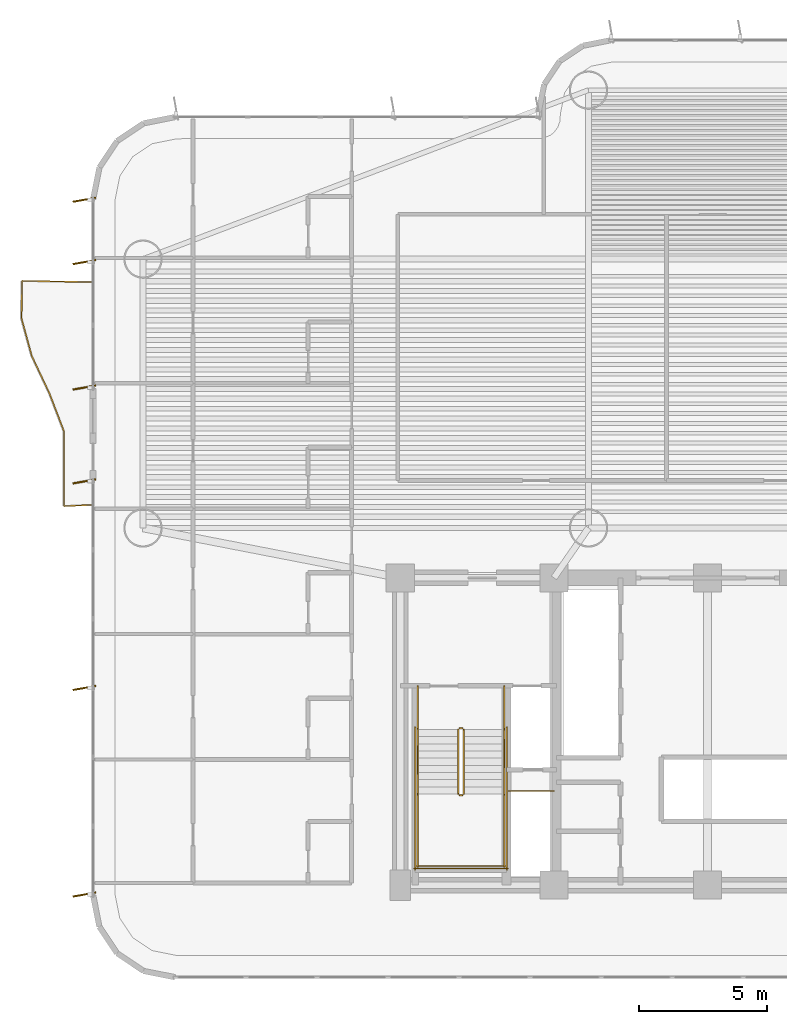
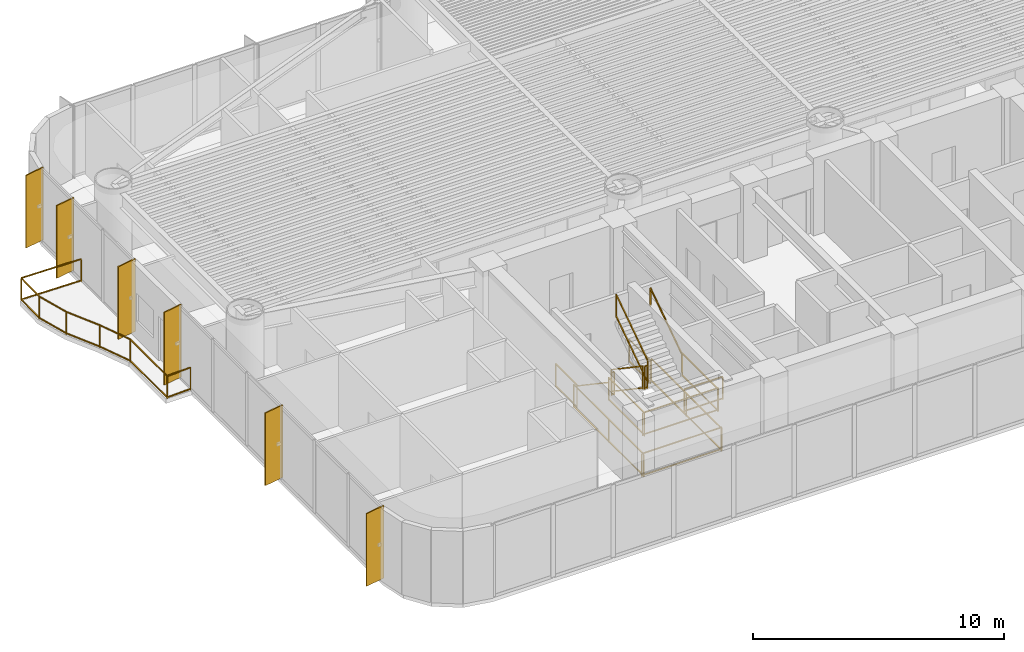
# One storey, part 16 of 19: 16 railings, 6 shading devices.
"""IFC4 building model written with IfcOpenShell, lengths in metres."""

from ifc_helpers import new_model, si_unit, direction, frame, origin, origin_2d, place, context, subcontext, project, spatial, rectangle, extrude, source, transform, mapped, material, layer, layer_set, material_profile, profile_set, type_object, element, save


model = new_model("IFC4")

# Units and contexts
model_context = context("Model", 3, precision=1e-05, world=origin(), true_north=direction((0.0, 1.0)))
body_context = subcontext(model_context, "Body", "Model", "MODEL_VIEW")
ifc_project = project(units=[si_unit("LENGTHUNIT", "METRE"), si_unit("AREAUNIT", "SQUARE_METRE"), si_unit("VOLUMEUNIT", "CUBIC_METRE"), si_unit("PLANEANGLEUNIT", "RADIAN"), si_unit("MASSUNIT", "GRAM", prefix="KILO")], contexts=[model_context])

# Site, building, storey
site_placement = place(None, origin())
site = spatial("IfcSite", under=ifc_project, at=site_placement, CompositionType="ELEMENT")
building_placement = place(site_placement, origin())
building = spatial("IfcBuilding", under=site, at=building_placement, Name="Brelvock Crest Care Tower", CompositionType="ELEMENT")
storey_placement = place(building_placement, frame((0.0, 0.0, 64.800048828125)))
storey = spatial("IfcBuildingStorey", under=building, at=storey_placement, Name="L16", CompositionType="ELEMENT", Elevation=64.800048828125)

# Railings
ifc_material_1 = material(Name="Dark Glass Double Glazed Low-E", Category="glass")
ifc_layer_1 = layer(ifc_material_1, 0.06005859375, Name="RL-BAL1")
ifc_layer_set_1 = layer_set([ifc_layer_1], Name="Dark Glass Double Glazed Low-E")
railing_type_1 = type_object("IfcRailingType", Name="RL-BAL1", PredefinedType="BALUSTRADE", material=ifc_layer_set_1)
railing_1_placement = place(storey_placement, frame((11.9599609375, 20.85009765625, 0.00390625)))
element("IfcRailing", 1, at=railing_1_placement, inside=storey, type_object=railing_type_1, Name="L16 Safety Balustrade WB-W", PredefinedType="BALUSTRADE", context=body_context, shape_type="SweptSolid", body=[
    extrude(rectangle(XDim=0.048095703125, YDim=0.048095703125, at=origin_2d()), frame((-0.001953125, 0.0, 1.09619140625), z_axis=(-0.998966252902, -0.045457953795, 0.0), x_axis=(0.045457953795, -0.998966252902, 0.0)), (0.0, 0.0, 1.0), 1.096923828125),
    extrude(rectangle(XDim=0.048095703125, YDim=0.048095703125, at=origin_2d()), frame((-0.001953125, 0.0, 0.054931640625), z_axis=(-0.998966252902, -0.045457953795, 0.0), x_axis=(0.045457953795, -0.998966252902, 0.0)), (0.0, 0.0, 1.0), 1.096923828125),
    extrude(rectangle(XDim=0.048095703125, YDim=0.048095703125, at=origin_2d()), frame((-1.099853515625, -0.048095703125, 1.09619140625), z_axis=(0.0, 1.0, 0.0), x_axis=(-1.0, 0.0, 0.0)), (0.0, 0.0, 1.0), 2.929443359375),
    extrude(rectangle(XDim=0.048095703125, YDim=0.048095703125, at=origin_2d()), frame((-1.099853515625, -0.048095703125, 0.054931640625), z_axis=(0.0, 1.0, 0.0), x_axis=(-1.0, 0.0, 0.0)), (0.0, 0.0, 1.0), 2.929443359375),
    extrude(rectangle(XDim=0.048095703125, YDim=0.048095703125, at=origin_2d()), frame((-1.1005859375, 2.88525390625, 1.09619140625), z_axis=(-0.357436663677, 0.933937380909, 0.0), x_axis=(-0.933937380909, -0.357436663677, 0.0)), (0.0, 0.0, 1.0), 1.56640625),
    extrude(rectangle(XDim=0.048095703125, YDim=0.048095703125, at=origin_2d()), frame((-1.1005859375, 2.88525390625, 0.054931640625), z_axis=(-0.357436663677, 0.933937380909, 0.0), x_axis=(-0.933937380909, -0.357436663677, 0.0)), (0.0, 0.0, 1.0), 1.56640625),
    extrude(rectangle(XDim=0.048095703125, YDim=0.048095703125, at=origin_2d()), frame((-1.661865234375, 4.3515625, 1.09619140625), z_axis=(-0.426746449171, 0.904371310978, 0.0), x_axis=(-0.904371310978, -0.426746449171, 0.0)), (0.0, 0.0, 1.0), 1.617919921875),
    extrude(rectangle(XDim=0.048095703125, YDim=0.048095703125, at=origin_2d()), frame((-1.661865234375, 4.3515625, 0.054931640625), z_axis=(-0.426746449171, 0.904371310978, 0.0), x_axis=(-0.904371310978, -0.426746449171, 0.0)), (0.0, 0.0, 1.0), 1.617919921875),
    extrude(rectangle(XDim=0.048095703125, YDim=0.048095703125, at=origin_2d()), frame((-2.353759765625, 5.818603515625, 1.09619140625), z_axis=(-0.263525028953, 0.964652558756, 0.0), x_axis=(-0.964652558756, -0.263525028953, 0.0)), (0.0, 0.0, 1.0), 1.516357421875),
    extrude(rectangle(XDim=0.048095703125, YDim=0.048095703125, at=origin_2d()), frame((-2.353759765625, 5.818603515625, 0.054931640625), z_axis=(-0.263525028953, 0.964652558756, 0.0), x_axis=(-0.964652558756, -0.263525028953, 0.0)), (0.0, 0.0, 1.0), 1.516357421875),
    extrude(rectangle(XDim=0.048095703125, YDim=0.048095703125, at=origin_2d()), frame((-2.75390625, 7.28515625, 1.09619140625), z_axis=(0.013647197663, 0.999906872662, 0.0), x_axis=(-0.999906872662, 0.013647197663, 0.0)), (0.0, 0.0, 1.0), 1.462890625),
    extrude(rectangle(XDim=0.048095703125, YDim=0.048095703125, at=origin_2d()), frame((-2.75390625, 7.28515625, 0.054931640625), z_axis=(0.013647197663, 0.999906872662, 0.0), x_axis=(-0.999906872662, 0.013647197663, 0.0)), (0.0, 0.0, 1.0), 1.462890625),
    extrude(rectangle(XDim=0.048095703125, YDim=0.048095703125, at=origin_2d()), frame((-2.73193359375, 8.75, 1.09619140625), z_axis=(0.999832471903, -0.018303773597, 0.0), x_axis=(0.018303773597, 0.999832471903, 0.0)), (0.0, 0.0, 1.0), 2.730224609375),
    extrude(rectangle(XDim=0.048095703125, YDim=0.048095703125, at=origin_2d()), frame((-2.73193359375, 8.75, 0.054931640625), z_axis=(0.999832471903, -0.018303773597, 0.0), x_axis=(0.018303773597, 0.999832471903, 0.0)), (0.0, 0.0, 1.0), 2.730224609375),
    extrude(rectangle(XDim=0.0419921875, YDim=0.0419921875, at=origin_2d()), origin(), (0.0, 0.0, 1.0), 1.070068359375),
    extrude(rectangle(XDim=0.0419921875, YDim=0.0419921875, at=origin_2d()), frame((-1.099853515625, -0.050048828125, 0.0)), (0.0, 0.0, 1.0), 1.070068359375),
    extrude(rectangle(XDim=0.0419921875, YDim=0.0419921875, at=origin_2d()), frame((-1.099853515625, 2.88330078125, 0.0)), (0.0, 0.0, 1.0), 1.070068359375),
    extrude(rectangle(XDim=0.0419921875, YDim=0.0419921875, at=origin_2d()), frame((-1.6611328125, 4.349853515625, 0.0)), (0.0, 0.0, 1.0), 1.070068359375),
    extrude(rectangle(XDim=0.0419921875, YDim=0.0419921875, at=origin_2d()), frame((-2.353271484375, 5.816650390625, 0.0)), (0.0, 0.0, 1.0), 1.070068359375),
    extrude(rectangle(XDim=0.0419921875, YDim=0.0419921875, at=origin_2d()), frame((-2.75390625, 7.283203125, 0.0)), (0.0, 0.0, 1.0), 1.070068359375),
    extrude(rectangle(XDim=0.0419921875, YDim=0.0419921875, at=origin_2d()), frame((-2.73388671875, 8.75, 0.0)), (0.0, 0.0, 1.0), 1.070068359375),
    extrude(rectangle(XDim=0.0419921875, YDim=0.0419921875, at=origin_2d()), frame((0.0, 8.699951171875, 0.0)), (0.0, 0.0, 1.0), 1.070068359375),
])
ifc_material_2 = material(Name="Steel Grade 350", Category="steel")
ifc_layer_2 = layer(ifc_material_2, 0.050048828125, Name="RL-STG1")
ifc_layer_set_2 = layer_set([ifc_layer_2], Name="Steel Grade 350")
railing_type_2 = type_object("IfcRailingType", Name="RL-STG1", PredefinedType="GUARDRAIL", material=ifc_layer_set_2)
railing_2_placement = place(storey_placement, frame((26.260009765625, 12.080078125, 0.18896484375)))
element("IfcRailing", 2, at=railing_2_placement, inside=storey, type_object=railing_type_2, Name="L16 ST-1 stair guard 1", PredefinedType="GUARDRAIL", context=body_context, shape_type="SweptSolid", body=[
    extrude(rectangle(XDim=0.048095703125, YDim=0.048095703125, at=origin_2d()), frame((0.0, -0.001708984375, 1.116943359375), z_axis=(0.0, -0.828861706735, 0.559453546873), x_axis=(1.0, 0.0, 0.0)), (0.0, 0.0, 1.0), 3.036376953125),
    extrude(rectangle(XDim=0.048095703125, YDim=0.048095703125, at=origin_2d()), frame((0.0, -0.001708984375, 0.05615234375), z_axis=(0.0, -0.828861706735, 0.559453546873), x_axis=(1.0, 0.0, 0.0)), (0.0, 0.0, 1.0), 3.036376953125),
    extrude(rectangle(XDim=0.0419921875, YDim=0.0419921875, at=origin_2d()), origin(), (0.0, 0.0, 1.0), 1.08984375),
    extrude(rectangle(XDim=0.0419921875, YDim=0.0419921875, at=origin_2d()), frame((0.0, -2.52001953125, 1.700927734375)), (0.0, 0.0, 1.0), 1.08984375),
])
railing_3_placement = place(storey_placement, frame((26.31005859375, 9.510009765625, 1.889892578125)))
element("IfcRailing", 3, at=railing_3_placement, inside=storey, type_object=railing_type_2, Name="L16 ST-1 stair guard 2", PredefinedType="GUARDRAIL", context=body_context, shape_type="SweptSolid", body=[
    extrude(rectangle(XDim=0.048095703125, YDim=0.048095703125, at=origin_2d()), frame((0.001953125, 0.0, 1.11572265625), z_axis=(1.0, 0.0, 0.0), x_axis=(0.0, 1.0, 0.0)), (0.0, 0.0, 1.0), 0.115966796875),
    extrude(rectangle(XDim=0.048095703125, YDim=0.048095703125, at=origin_2d()), frame((0.001953125, 0.0, 0.054931640625), z_axis=(1.0, 0.0, 0.0), x_axis=(0.0, 1.0, 0.0)), (0.0, 0.0, 1.0), 0.115966796875),
    extrude(rectangle(XDim=0.0419921875, YDim=0.0419921875, at=origin_2d()), origin(), (0.0, 0.0, 1.0), 1.08984375),
    extrude(rectangle(XDim=0.0419921875, YDim=0.0419921875, at=origin_2d()), frame((0.119873046875, 0.0, 0.0)), (0.0, 0.0, 1.0), 1.08984375),
])
for number, where, name in (
    (4, (24.679931640625, 9.56005859375, 1.889892578125), "L16 ST-1 stair guard 3"),
    (5, (28.06005859375, 9.56005859375, 1.889892578125), "L16 ST-1 stair guard 4"),
):
    element("IfcRailing", number, at=place(storey_placement, frame(where)), inside=storey, type_object=railing_type_2, Name=name, PredefinedType="GUARDRAIL", context=body_context, shape_type="SweptSolid", body=[
        extrude(rectangle(XDim=0.048095703125, YDim=0.048095703125, at=origin_2d()), frame((0.0, -0.001953125, 1.11572265625), z_axis=(0.0, -1.0, 0.0), x_axis=(1.0, 0.0, 0.0)), (0.0, 0.0, 1.0), 2.856201171875),
        extrude(rectangle(XDim=0.048095703125, YDim=0.048095703125, at=origin_2d()), frame((0.0, -0.001953125, 0.054931640625), z_axis=(0.0, -1.0, 0.0), x_axis=(1.0, 0.0, 0.0)), (0.0, 0.0, 1.0), 2.856201171875),
        extrude(rectangle(XDim=0.0419921875, YDim=0.0419921875, at=origin_2d()), origin(), (0.0, 0.0, 1.0), 1.08984375),
        extrude(rectangle(XDim=0.0419921875, YDim=0.0419921875, at=origin_2d()), frame((0.0, -2.860107421875, 0.0)), (0.0, 0.0, 1.0), 1.08984375),
    ])
railing_4_placement = place(storey_placement, frame((24.6298828125, 6.75, 1.889892578125)))
element("IfcRailing", 6, at=railing_4_placement, inside=storey, type_object=railing_type_2, Name="L16 ST-1 stair guard 5", PredefinedType="GUARDRAIL", context=body_context, shape_type="SweptSolid", body=[
    extrude(rectangle(XDim=0.048095703125, YDim=0.048095703125, at=origin_2d()), frame((0.001953125, 0.0, 1.11572265625), z_axis=(1.0, 0.0, 0.0), x_axis=(0.0, 1.0, 0.0)), (0.0, 0.0, 1.0), 3.476318359375),
    extrude(rectangle(XDim=0.048095703125, YDim=0.048095703125, at=origin_2d()), frame((0.001953125, 0.0, 0.054931640625), z_axis=(1.0, 0.0, 0.0), x_axis=(0.0, 1.0, 0.0)), (0.0, 0.0, 1.0), 3.476318359375),
    extrude(rectangle(XDim=0.0419921875, YDim=0.0419921875, at=origin_2d()), origin(), (0.0, 0.0, 1.0), 1.08984375),
    extrude(rectangle(XDim=0.0419921875, YDim=0.0419921875, at=origin_2d()), frame((3.480224609375, 0.0, 0.0)), (0.0, 0.0, 1.0), 1.08984375),
])
railing_5_placement = place(storey_placement, frame((26.47998046875, 9.56005859375, 2.078857421875)))
element("IfcRailing", 7, at=railing_5_placement, inside=storey, type_object=railing_type_2, Name="L16 ST-1 stair guard 6", PredefinedType="GUARDRAIL", context=body_context, shape_type="SweptSolid", body=[
    extrude(rectangle(XDim=0.048095703125, YDim=0.048095703125, at=origin_2d()), frame((0.0, 0.001708984375, 1.116943359375), z_axis=(0.0, 0.82882447046, 0.559508710537), x_axis=(-1.0, 0.0, 0.0)), (0.0, 0.0, 1.0), 3.036376953125),
    extrude(rectangle(XDim=0.048095703125, YDim=0.048095703125, at=origin_2d()), frame((0.0, 0.001708984375, 0.05615234375), z_axis=(0.0, 0.82882447046, 0.559508710537), x_axis=(-1.0, 0.0, 0.0)), (0.0, 0.0, 1.0), 3.036376953125),
    extrude(rectangle(XDim=0.0419921875, YDim=0.0419921875, at=origin_2d()), origin(), (0.0, 0.0, 1.0), 1.08984375),
    extrude(rectangle(XDim=0.0419921875, YDim=0.0419921875, at=origin_2d()), frame((0.0, 2.52001953125, 1.701171875)), (0.0, 0.0, 1.0), 1.08984375),
])
railing_6_placement = place(storey_placement, frame((26.31005859375, 12.1298828125, 0.0)))
element("IfcRailing", 8, at=railing_6_placement, inside=storey, type_object=railing_type_2, Name="L16 ST-1 stair guard 7", PredefinedType="GUARDRAIL", context=body_context, shape_type="SweptSolid", body=[
    extrude(rectangle(XDim=0.048095703125, YDim=0.048095703125, at=origin_2d()), frame((0.001953125, 0.0, 1.11572265625), z_axis=(1.0, 0.0, 0.0), x_axis=(0.0, 1.0, 0.0)), (0.0, 0.0, 1.0), 0.115966796875),
    extrude(rectangle(XDim=0.048095703125, YDim=0.048095703125, at=origin_2d()), frame((0.001953125, 0.0, 0.054931640625), z_axis=(1.0, 0.0, 0.0), x_axis=(0.0, 1.0, 0.0)), (0.0, 0.0, 1.0), 0.115966796875),
    extrude(rectangle(XDim=0.0419921875, YDim=0.0419921875, at=origin_2d()), origin(), (0.0, 0.0, 1.0), 1.08984375),
    extrude(rectangle(XDim=0.0419921875, YDim=0.0419921875, at=origin_2d()), frame((0.119873046875, 0.0, 0.0)), (0.0, 0.0, 1.0), 1.08984375),
])
for number, where, name in (
    (9, (24.679931640625, 13.780029296875, 0.0), "L16 ST-1 stair guard 8"),
    (10, (28.06005859375, 13.780029296875, 0.0), "L16 ST-1 stair guard 9"),
):
    element("IfcRailing", number, at=place(storey_placement, frame(where)), inside=storey, type_object=railing_type_2, Name=name, PredefinedType="GUARDRAIL", context=body_context, shape_type="SweptSolid", body=[
        extrude(rectangle(XDim=0.048095703125, YDim=0.048095703125, at=origin_2d()), frame((0.0, -0.001953125, 1.11572265625), z_axis=(0.0, -1.0, 0.0), x_axis=(1.0, 0.0, 0.0)), (0.0, 0.0, 1.0), 1.696044921875),
        extrude(rectangle(XDim=0.048095703125, YDim=0.048095703125, at=origin_2d()), frame((0.0, -0.001953125, 0.054931640625), z_axis=(0.0, -1.0, 0.0), x_axis=(1.0, 0.0, 0.0)), (0.0, 0.0, 1.0), 1.696044921875),
        extrude(rectangle(XDim=0.0419921875, YDim=0.0419921875, at=origin_2d()), origin(), (0.0, 0.0, 1.0), 1.08984375),
        extrude(rectangle(XDim=0.0419921875, YDim=0.0419921875, at=origin_2d()), frame((0.0, -1.699951171875, 0.0)), (0.0, 0.0, 1.0), 1.08984375),
    ])
for number, where, name in (
    (11, (24.580078125, 12.179931640625, 0.0), "L16 ST-1 stair guard 10"),
    (12, (28.159912109375, 12.179931640625, 0.0), "L16 ST-1 stair guard 11"),
):
    element("IfcRailing", number, at=place(storey_placement, frame(where)), inside=storey, type_object=railing_type_2, Name=name, PredefinedType="GUARDRAIL", context=body_context, shape_type="SweptSolid", body=[
        extrude(rectangle(XDim=0.048095703125, YDim=0.048095703125, at=origin_2d()), frame((0.0, -0.001953125, 1.11572265625), z_axis=(0.0, -1.0, 0.0), x_axis=(1.0, 0.0, 0.0)), (0.0, 0.0, 1.0), 5.575927734375),
        extrude(rectangle(XDim=0.048095703125, YDim=0.048095703125, at=origin_2d()), frame((0.0, -0.001953125, 0.054931640625), z_axis=(0.0, -1.0, 0.0), x_axis=(1.0, 0.0, 0.0)), (0.0, 0.0, 1.0), 5.575927734375),
        extrude(rectangle(XDim=0.0419921875, YDim=0.0419921875, at=origin_2d()), origin(), (0.0, 0.0, 1.0), 1.08984375),
        extrude(rectangle(XDim=0.0419921875, YDim=0.0419921875, at=origin_2d()), frame((0.0, -2.7900390625, 0.0)), (0.0, 0.0, 1.0), 1.08984375),
        extrude(rectangle(XDim=0.0419921875, YDim=0.0419921875, at=origin_2d()), frame((0.0, -5.579833984375, 0.0)), (0.0, 0.0, 1.0), 1.08984375),
    ])
railing_7_placement = place(storey_placement, frame((24.530029296875, 6.64990234375, 0.0)))
element("IfcRailing", 13, at=railing_7_placement, inside=storey, type_object=railing_type_2, Name="L16 ST-1 stair guard 12", PredefinedType="GUARDRAIL", context=body_context, shape_type="SweptSolid", body=[
    extrude(rectangle(XDim=0.048095703125, YDim=0.048095703125, at=origin_2d()), frame((0.001953125, 0.0, 1.11572265625), z_axis=(1.0, 0.0, 0.0), x_axis=(0.0, 1.0, 0.0)), (0.0, 0.0, 1.0), 3.676025390625),
    extrude(rectangle(XDim=0.048095703125, YDim=0.048095703125, at=origin_2d()), frame((0.001953125, 0.0, 0.054931640625), z_axis=(1.0, 0.0, 0.0), x_axis=(0.0, 1.0, 0.0)), (0.0, 0.0, 1.0), 3.676025390625),
    extrude(rectangle(XDim=0.0419921875, YDim=0.0419921875, at=origin_2d()), origin(), (0.0, 0.0, 1.0), 1.08984375),
    extrude(rectangle(XDim=0.0419921875, YDim=0.0419921875, at=origin_2d()), frame((3.679931640625, 0.0, 0.0)), (0.0, 0.0, 1.0), 1.08984375),
])
railing_8_placement = place(storey_placement, frame((28.219970703125, 9.679931640625, 0.0)))
element("IfcRailing", 14, at=railing_8_placement, inside=storey, type_object=railing_type_2, Name="L16 Fire Riser Threshold Guard", PredefinedType="GUARDRAIL", context=body_context, shape_type="SweptSolid", body=[
    extrude(rectangle(XDim=0.048095703125, YDim=0.048095703125, at=origin_2d()), frame((0.001953125, 0.0, 1.11572265625), z_axis=(1.0, 0.0, 0.0), x_axis=(0.0, 1.0, 0.0)), (0.0, 0.0, 1.0), 1.776123046875),
    extrude(rectangle(XDim=0.048095703125, YDim=0.048095703125, at=origin_2d()), frame((0.001953125, 0.0, 0.054931640625), z_axis=(1.0, 0.0, 0.0), x_axis=(0.0, 1.0, 0.0)), (0.0, 0.0, 1.0), 1.776123046875),
    extrude(rectangle(XDim=0.0419921875, YDim=0.0419921875, at=origin_2d()), origin(), (0.0, 0.0, 1.0), 1.08984375),
    extrude(rectangle(XDim=0.0419921875, YDim=0.0419921875, at=origin_2d()), frame((1.780029296875, 0.0, 0.0)), (0.0, 0.0, 1.0), 1.08984375),
])
ifc_layer_3 = layer(ifc_material_2, 0.048095703125, Name="RL-STH1")
ifc_layer_set_3 = layer_set([ifc_layer_3], Name="Steel Grade 350")
railing_type_3 = type_object("IfcRailingType", Name="RL-STH1", PredefinedType="HANDRAIL", material=ifc_layer_set_3)
railing_9_placement = place(storey_placement, frame((24.679931640625, 12.080078125, 0.18896484375)))
element("IfcRailing", 15, at=railing_9_placement, inside=storey, type_object=railing_type_3, Name="L16 ST-1 stair handrail 1", PredefinedType="HANDRAIL", context=body_context, shape_type="SweptSolid", body=[
    extrude(rectangle(XDim=0.048095703125, YDim=0.048095703125, at=origin_2d()), frame((0.0, -0.001708984375, 0.876953125), z_axis=(0.0, -0.828861706735, 0.559453546873), x_axis=(1.0, 0.0, 0.0)), (0.0, 0.0, 1.0), 3.036376953125),
    extrude(rectangle(XDim=0.0419921875, YDim=0.0419921875, at=origin_2d()), origin(), (0.0, 0.0, 1.0), 0.849853515625),
    extrude(rectangle(XDim=0.0419921875, YDim=0.0419921875, at=origin_2d()), frame((0.0, -2.52001953125, 1.700927734375)), (0.0, 0.0, 1.0), 0.849853515625),
])
railing_10_placement = place(storey_placement, frame((28.06005859375, 9.56005859375, 2.078857421875)))
element("IfcRailing", 16, at=railing_10_placement, inside=storey, type_object=railing_type_3, Name="L16 ST-1 stair handrail 2", PredefinedType="HANDRAIL", context=body_context, shape_type="SweptSolid", body=[
    extrude(rectangle(XDim=0.048095703125, YDim=0.048095703125, at=origin_2d()), frame((0.0, 0.001708984375, 0.876953125), z_axis=(0.0, 0.82882447046, 0.559508710537), x_axis=(-1.0, 0.0, 0.0)), (0.0, 0.0, 1.0), 3.036376953125),
    extrude(rectangle(XDim=0.0419921875, YDim=0.0419921875, at=origin_2d()), origin(), (0.0, 0.0, 1.0), 0.849853515625),
    extrude(rectangle(XDim=0.0419921875, YDim=0.0419921875, at=origin_2d()), frame((0.0, 2.52001953125, 1.701171875)), (0.0, 0.0, 1.0), 0.849853515625),
])

# Shading devices
ifc_material_3 = material(Name="Aluminium 6063-T6", Category="aluminium")
ifc_material_profile = material_profile(ifc_material_3, rectangle(XDim=0.054931640625, YDim=0.89990234375, at=origin_2d()), Name="FIN55x900")
ifc_profile_set = profile_set([ifc_material_profile], Name="Aluminium 6063-T6")
shading_device_type = type_object("IfcShadingDeviceType", Name="SHD-FIN1", PredefinedType="USERDEFINED", material=ifc_profile_set)
shared_shape = source(origin(), body_context, "Body", "SweptSolid", [
    extrude(rectangle(XDim=0.054931640625, YDim=0.89990234375, at=origin_2d()), origin(), (0.0, 0.0, 1.0), 3.530029296875),
])
for number, where, z_axis, x_axis, name in (
    (17, (11.659912109375, 5.632568359375, 0.0), (0.0, 0.0, 1.0), (-0.173648177667, 0.984807753012, 0.0), "L16 Vertical Sunshade Fin E13A-01"),
    (18, (11.659912109375, 13.699951171875, 0.0), (0.0, 0.0, 1.0), (-0.173648177667, 0.984807753012, 0.0), "L16 Vertical Sunshade Fin E13A-04"),
    (19, (11.659912109375, 21.767578125, 0.0), (0.0, 0.0, 1.0), (-0.173648177667, 0.984807753012, 0.0), "L16 Vertical Sunshade Fin E13A-07"),
    (20, (11.659912109375, 25.4326171875, 0.0), (0.0, 0.0, 1.0), (-0.173648177667, 0.984807753012, 0.0), "L16 Vertical Sunshade Fin E13B-01"),
    (21, (11.659912109375, 30.333251953125, 0.0), (0.0, 0.0, 1.0), (-0.173648177667, 0.984807753012, 0.0), "L16 Vertical Sunshade Fin E13B-03"),
    (22, (11.659912109375, 32.767578125, 0.0), (0.0, 0.0, 1.0), (-0.173648177667, 0.984807753012, 0.0), "L16 Vertical Sunshade Fin E13B-04"),
):
    element("IfcShadingDevice", number, at=place(storey_placement, frame(where, z_axis=z_axis, x_axis=x_axis)), inside=storey, type_object=shading_device_type, Name=name, ObjectType="FIN", PredefinedType="USERDEFINED", context=body_context, shape_type="MappedRepresentation", body=[
        mapped(shared_shape, transform((0.0, 0.0, 0.0), x_axis=(1.0, 0.0, 0.0), y_axis=(0.0, 1.0, 0.0), z_axis=(0.0, 0.0, 1.0), scale=1.0)),
    ])

save(model, "model.ifc")
